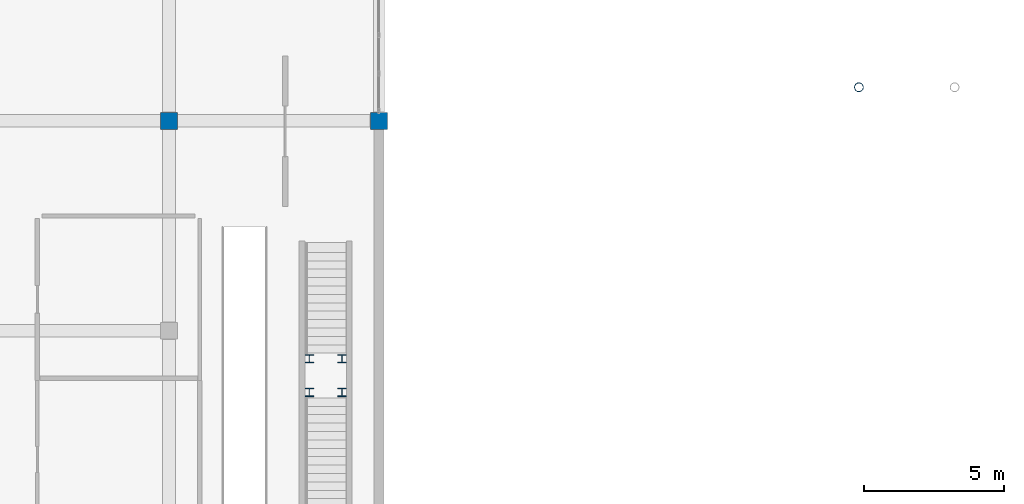
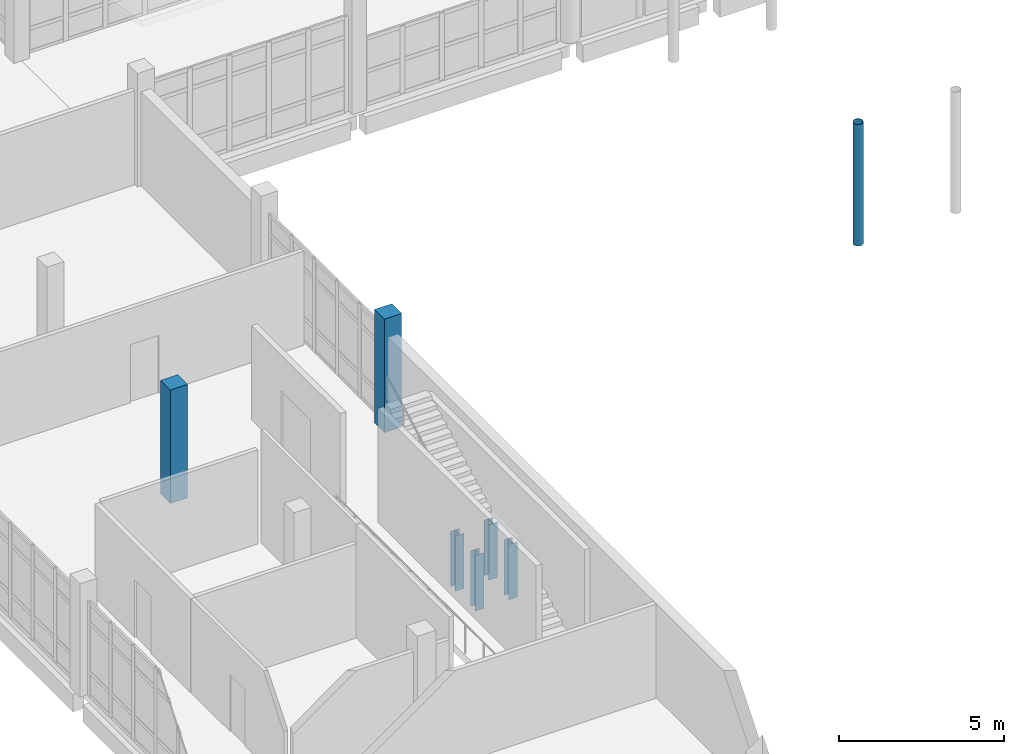
# One storey, part 2 of 164: 7 columns.
"""IFC4 building model written with IfcOpenShell, lengths in metres."""

from ifc_helpers import new_model, si_unit, direction, frame, origin, origin_2d, place, context, subcontext, project, spatial, rectangle, hollow_circle, i_section, extrude, material, material_profile, profile_set, type_object, element, save


model = new_model("IFC4")

# Units and contexts
model_context = context("Model", 3, precision=1e-05, world=origin(), true_north=direction((0.0, 1.0)))
body_context = subcontext(model_context, "Body", "Model", "MODEL_VIEW")
ifc_project = project(units=[si_unit("LENGTHUNIT", "METRE"), si_unit("AREAUNIT", "SQUARE_METRE"), si_unit("VOLUMEUNIT", "CUBIC_METRE"), si_unit("PLANEANGLEUNIT", "RADIAN"), si_unit("MASSUNIT", "GRAM", prefix="KILO")], contexts=[model_context])

# Site, building, storey
site_placement = place(None, origin())
site = spatial("IfcSite", under=ifc_project, at=site_placement, CompositionType="ELEMENT")
building_placement = place(site_placement, origin())
building = spatial("IfcBuilding", under=site, at=building_placement, Name="Mawjan Specialist Oncology Clinic", CompositionType="ELEMENT")
storey_placement = place(building_placement, frame((0.0, 0.0, 5.0)))
storey = spatial("IfcBuildingStorey", under=building, at=storey_placement, Name="L01", CompositionType="ELEMENT", Elevation=5.0)

# Columns
ifc_material_1 = material(Name="Concrete C45/55", Category="concrete")
ifc_material_profile_1 = material_profile(ifc_material_1, rectangle(XDim=0.60009765625, YDim=0.60009765625, at=origin_2d()), Name="RC COL 600x600", Category="concrete")
ifc_profile_set_1 = profile_set([ifc_material_profile_1], Name="Concrete C45/55")
column_type_1 = type_object("IfcColumnType", Name="C-600", PredefinedType="COLUMN", material=ifc_profile_set_1)
for number, where, z_axis, x_axis, name in (
    (1, (37.5, 30.800048828125, 0.0), (0.0, 0.0, 1.0), (1.0, 0.0, 0.0), "L01 Column G-6-E"),
    (2, (45.0, 30.800048828125, 0.0), (0.0, 0.0, 1.0), (1.0, 0.0, 0.0), "L01 Column G-7-E"),
):
    element("IfcColumn", number, at=place(storey_placement, frame(where, z_axis=z_axis, x_axis=x_axis)), inside=storey, type_object=column_type_1, Name=name, PredefinedType="COLUMN", context=body_context, shape_type="SweptSolid", body=[
        extrude(rectangle(XDim=0.60009765625, YDim=0.60009765625, at=origin_2d()), origin(), (0.0, 0.0, 1.0), 4.199951171875),
    ])
ifc_material_2 = material(Name="Structural steel S355", Category="steel")
ifc_material_profile_2 = material_profile(ifc_material_2, hollow_circle(Radius=0.161865234375, WallThickness=0.011962890625, at=origin_2d()), Name="CHS 323.9x12", Category="steel")
ifc_profile_set_2 = profile_set([ifc_material_profile_2], Name="Structural steel S355")
column_type_2 = type_object("IfcColumnType", Name="SC-CHS324", PredefinedType="COLUMN", material=ifc_profile_set_2)
column_placement = place(storey_placement, frame((62.152587890625, 32.0, 0.0), z_axis=(0.0, 0.0, 1.0), x_axis=(1.0, 0.0, 0.0)))
element("IfcColumn", 3, at=column_placement, inside=storey, type_object=column_type_2, Name="Courtyard Canopy Column 1 L01", PredefinedType="COLUMN", context=body_context, shape_type="SweptSolid", body=[
    extrude(hollow_circle(Radius=0.161865234375, WallThickness=0.011962890625, at=origin_2d()), origin(), (0.0, 0.0, 1.0), 4.5),
])
ifc_material_3 = material(Name="Structural steel S355", Category="steel")
ifc_material_profile_3 = material_profile(ifc_material_3, i_section(OverallWidth=0.300048828125, OverallDepth=0.300048828125, WebThickness=0.010986328125, FlangeThickness=0.01904296875, FilletRadius=0.027099609375, at=origin_2d()), Name="HEB 300", Category="steel")
ifc_profile_set_3 = profile_set([ifc_material_profile_3], Name="Structural steel S355")
column_type_3 = type_object("IfcColumnType", Name="SC-HEB300", PredefinedType="COLUMN", material=ifc_profile_set_3)
for number, where, z_axis, x_axis, name in (
    (4, (42.514892578125, 21.10009765625, 0.0), (0.0, 0.0, 1.0), (1.0, 0.0, 0.0), "ST-11 Landing Support Post 1"),
    (5, (43.68505859375, 21.10009765625, 0.0), (0.0, 0.0, 1.0), (1.0, 0.0, 0.0), "ST-11 Landing Support Post 2"),
    (6, (43.68505859375, 22.300048828125, 0.0), (0.0, 0.0, 1.0), (1.0, 0.0, 0.0), "ST-11 Landing Support Post 3"),
    (7, (42.514892578125, 22.300048828125, 0.0), (0.0, 0.0, 1.0), (1.0, 0.0, 0.0), "ST-11 Landing Support Post 4"),
):
    element("IfcColumn", number, at=place(storey_placement, frame(where, z_axis=z_axis, x_axis=x_axis)), inside=storey, type_object=column_type_3, Name=name, PredefinedType="COLUMN", context=body_context, shape_type="SweptSolid", body=[
        extrude(i_section(OverallWidth=0.300048828125, OverallDepth=0.300048828125, WebThickness=0.010986328125, FlangeThickness=0.01904296875, FilletRadius=0.027099609375, at=origin_2d()), origin(), (0.0, 0.0, 1.0), 2.050048828125),
    ])

save(model, "model.ifc")
